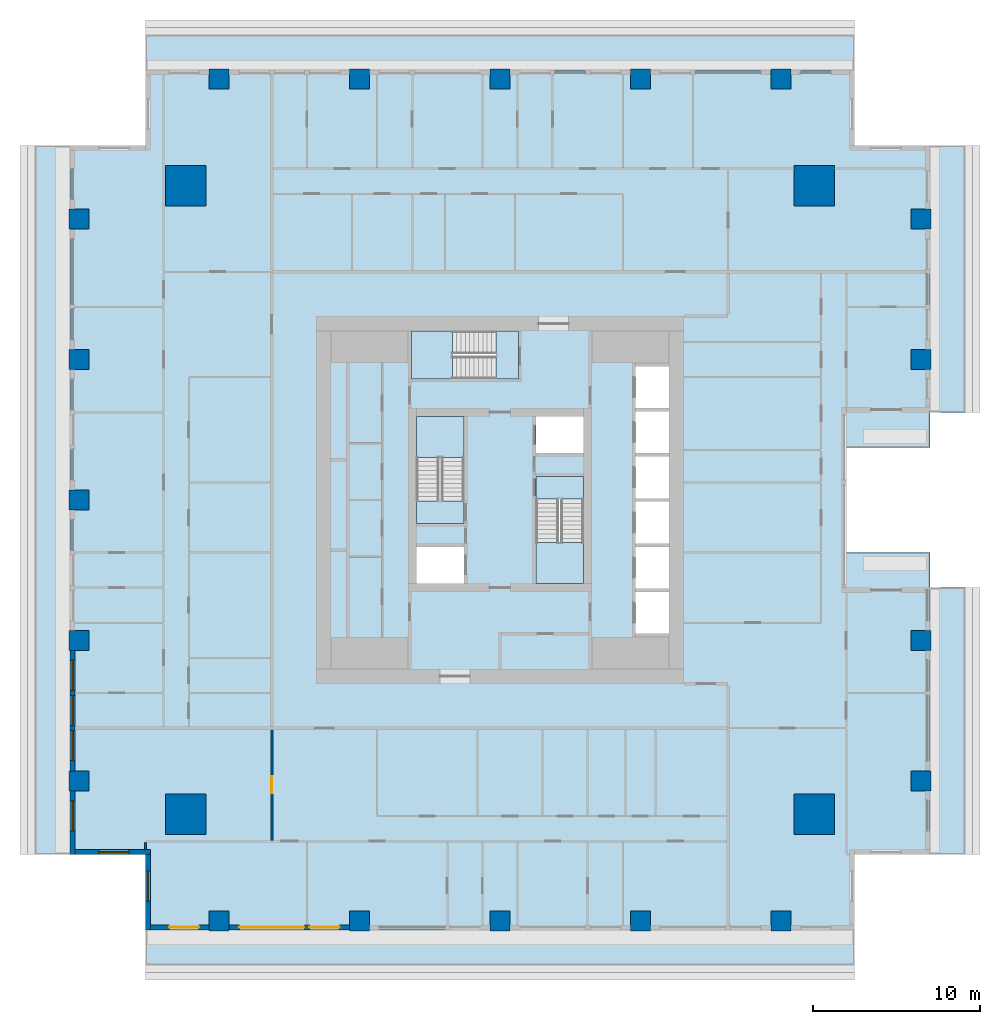
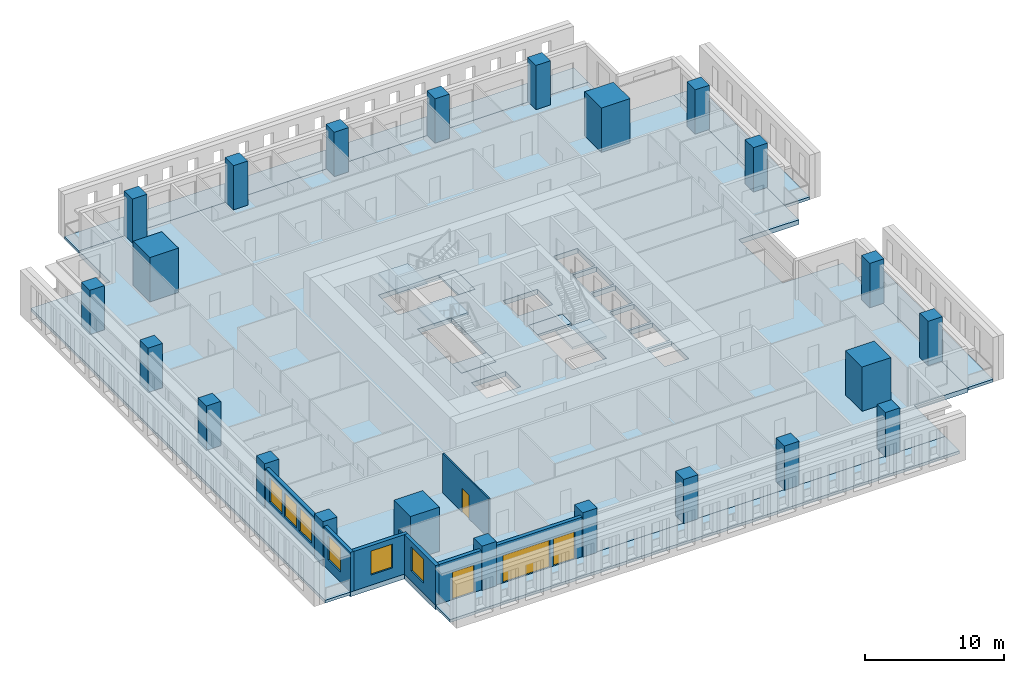
# One storey, part 1 of 15: 23 columns, 12 slabs, 8 walls, 6 windows, 4 doors, 10 openings, 3 elements without a shape of their own.
"""IFC4 building model written with IfcOpenShell, lengths in metres."""

from ifc_helpers import new_model, si_unit, direction, frame, frame_2d, origin, origin_2d, place, context, subcontext, project, spatial, polyline, rectangle, outline, extrude, material, layer, layer_set, material_profile, profile_set, type_object, element, fill, aggregate, save


model = new_model("IFC4")

# Units and contexts
model_context = context("Model", 3, precision=1e-05, world=origin(), true_north=direction((0.0, 1.0)))
body_context = subcontext(model_context, "Body", "Model", "MODEL_VIEW")
ifc_project = project(units=[si_unit("LENGTHUNIT", "METRE"), si_unit("AREAUNIT", "SQUARE_METRE"), si_unit("VOLUMEUNIT", "CUBIC_METRE"), si_unit("PLANEANGLEUNIT", "RADIAN"), si_unit("MASSUNIT", "GRAM", prefix="KILO")], contexts=[model_context])

# Site, building, storey
site_placement = place(None, origin())
site = spatial("IfcSite", under=ifc_project, at=site_placement, CompositionType="ELEMENT")
building_placement = place(site_placement, origin())
building = spatial("IfcBuilding", under=site, at=building_placement, Name="Khepri Terraces", CompositionType="ELEMENT")
storey_placement = place(building_placement, frame((0.0, 0.0, 196.199951171875)))
storey = spatial("IfcBuildingStorey", under=building, at=storey_placement, Name="L46", CompositionType="ELEMENT", Elevation=196.199951171875)

# Columns
ifc_material_1 = material(Name="Concrete C50/60", Category="concrete")
ifc_material_profile_1 = material_profile(ifc_material_1, rectangle(XDim=2.39990234375, YDim=2.39990234375, at=origin_2d()), Name="Concrete C50/60", Category="concrete")
ifc_profile_set_1 = profile_set([ifc_material_profile_1], Name="Concrete C50/60")
column_type_1 = type_object("IfcColumnType", Name="Mega column RC 2400x2400 C50/60", PredefinedType="COLUMN", material=ifc_profile_set_1)
for number, where, z_axis, x_axis, name in (
    (1, (18.800048828125, 18.800048828125, 0.0), (0.0, 0.0, 1.0), (1.0, 0.0, 0.0), "Mega column MEN L46"),
    (2, (18.800048828125, -18.800048828125, 0.0), (0.0, 0.0, 1.0), (1.0, 0.0, 0.0), "Mega column MES L46"),
    (3, (-18.800048828125, 18.800048828125, 0.0), (0.0, 0.0, 1.0), (1.0, 0.0, 0.0), "Mega column MWN L46"),
    (4, (-18.800048828125, -18.800048828125, 0.0), (0.0, 0.0, 1.0), (1.0, 0.0, 0.0), "Mega column MWS L46"),
):
    element("IfcColumn", number, at=place(storey_placement, frame(where, z_axis=z_axis, x_axis=x_axis)), inside=storey, type_object=column_type_1, Name=name, PredefinedType="COLUMN", context=body_context, shape_type="SweptSolid", body=[
        extrude(rectangle(XDim=2.39990234375, YDim=2.39990234375, at=origin_2d()), origin(), (0.0, 0.0, 1.0), 3.900146484375),
    ])
ifc_material_profile_2 = material_profile(ifc_material_1, rectangle(XDim=1.199951171875, YDim=1.199951171875, at=origin_2d()), Name="Concrete C50/60", Category="concrete")
ifc_profile_set_2 = profile_set([ifc_material_profile_2], Name="Concrete C50/60")
column_type_2 = type_object("IfcColumnType", Name="Tower column RC 1200x1200 C50/60", PredefinedType="COLUMN", material=ifc_profile_set_2)
for number, where, z_axis, x_axis, name in (
    (5, (25.199951171875, 8.39990234375, 0.0), (0.0, 0.0, 1.0), (1.0, 0.0, 0.0), "Perimeter column PE+084a L46"),
    (6, (25.199951171875, 16.800048828125, 0.0), (0.0, 0.0, 1.0), (1.0, 0.0, 0.0), "Perimeter column PE+168a L46"),
    (7, (25.199951171875, -8.39990234375, 0.0), (0.0, 0.0, 1.0), (1.0, 0.0, 0.0), "Perimeter column PE-084a L46"),
    (8, (25.199951171875, -16.800048828125, 0.0), (0.0, 0.0, 1.0), (1.0, 0.0, 0.0), "Perimeter column PE-168a L46"),
    (9, (0.0, 25.199951171875, 0.0), (0.0, 0.0, 1.0), (1.0, 0.0, 0.0), "Perimeter column PN+000b L46"),
    (10, (-8.39990234375, 25.199951171875, 0.0), (0.0, 0.0, 1.0), (1.0, 0.0, 0.0), "Perimeter column PN+084b L46"),
    (11, (-16.800048828125, 25.199951171875, 0.0), (0.0, 0.0, 1.0), (1.0, 0.0, 0.0), "Perimeter column PN+168a L46"),
    (12, (8.39990234375, 25.199951171875, 0.0), (0.0, 0.0, 1.0), (1.0, 0.0, 0.0), "Perimeter column PN-084b L46"),
    (13, (16.800048828125, 25.199951171875, 0.0), (0.0, 0.0, 1.0), (1.0, 0.0, 0.0), "Perimeter column PN-168a L46"),
    (14, (0.0, -25.199951171875, 0.0), (0.0, 0.0, 1.0), (1.0, 0.0, 0.0), "Perimeter column PS+000b L46"),
    (15, (8.39990234375, -25.199951171875, 0.0), (0.0, 0.0, 1.0), (1.0, 0.0, 0.0), "Perimeter column PS+084b L46"),
    (16, (16.800048828125, -25.199951171875, 0.0), (0.0, 0.0, 1.0), (1.0, 0.0, 0.0), "Perimeter column PS+168a L46"),
    (17, (-8.39990234375, -25.199951171875, 0.0), (0.0, 0.0, 1.0), (1.0, 0.0, 0.0), "Perimeter column PS-084b L46"),
    (18, (-16.800048828125, -25.199951171875, 0.0), (0.0, 0.0, 1.0), (1.0, 0.0, 0.0), "Perimeter column PS-168a L46"),
    (19, (-25.199951171875, 0.0, 0.0), (0.0, 0.0, 1.0), (1.0, 0.0, 0.0), "Perimeter column PW+000b L46"),
    (20, (-25.199951171875, -8.39990234375, 0.0), (0.0, 0.0, 1.0), (1.0, 0.0, 0.0), "Perimeter column PW+084b L46"),
    (21, (-25.199951171875, -16.800048828125, 0.0), (0.0, 0.0, 1.0), (1.0, 0.0, 0.0), "Perimeter column PW+168a L46"),
    (22, (-25.199951171875, 8.39990234375, 0.0), (0.0, 0.0, 1.0), (1.0, 0.0, 0.0), "Perimeter column PW-084b L46"),
    (23, (-25.199951171875, 16.800048828125, 0.0), (0.0, 0.0, 1.0), (1.0, 0.0, 0.0), "Perimeter column PW-168a L46"),
):
    element("IfcColumn", number, at=place(storey_placement, frame(where, z_axis=z_axis, x_axis=x_axis)), inside=storey, type_object=column_type_2, Name=name, PredefinedType="COLUMN", context=body_context, shape_type="SweptSolid", body=[
        extrude(rectangle(XDim=1.199951171875, YDim=1.199951171875, at=origin_2d()), origin(), (0.0, 0.0, 1.0), 3.900146484375),
    ])

# Slabs
ifc_material_2 = material(Name="Concrete C40/50", Category="concrete")
ifc_layer_1 = layer(ifc_material_2, 0.419921875, Name="Concrete C40/50", Category="concrete")
ifc_layer_set_1 = layer_set([ifc_layer_1], Name="Concrete C40/50")
slab_type_1 = type_object("IfcSlabType", Name="Flat plate 420", PredefinedType="FLOOR", material=ifc_layer_set_1)
slab_1_placement = place(storey_placement, frame((0.0, 0.0, -0.419921875)))
element("IfcSlab", 24, at=slab_1_placement, inside=storey, type_object=slab_type_1, Name="Floor slab F01 L46", PredefinedType="FLOOR", context=body_context, shape_type="SweptSolid", body=[
    extrude(outline(polyline([(21.219970703125, 25.719970703125), (21.219970703125, 21.219970703125), (25.719970703125, 21.219970703125), (25.719970703125, 5.25), (25.719970703125, 3.14990234375), (20.719970703125, 3.14990234375), (20.719970703125, -3.14990234375), (25.719970703125, -3.14990234375), (25.719970703125, -5.25), (25.719970703125, -21.219970703125), (21.219970703125, -21.219970703125), (21.219970703125, -25.719970703125), (-21.219970703125, -25.719970703125), (-21.219970703125, -21.219970703125), (-25.719970703125, -21.219970703125), (-25.719970703125, 21.219970703125), (-21.219970703125, 21.219970703125), (-21.219970703125, 25.719970703125), (21.219970703125, 25.719970703125)]), holes=[polyline([(2.14990234375, 2.800048828125), (5.0, 2.800048828125), (5.0, 5.0), (2.14990234375, 5.0), (2.14990234375, 2.800048828125)]), polyline([(-5.0, -2.800048828125), (-5.0, -5.0), (-2.14990234375, -5.0), (-2.14990234375, -2.800048828125), (-5.0, -2.800048828125)]), polyline([(10.10009765625, -5.5), (8.10009765625, -5.5), (8.10009765625, -8.0), (10.10009765625, -8.0), (10.10009765625, -5.5)]), polyline([(10.10009765625, -5.300048828125), (10.10009765625, -2.800048828125), (8.10009765625, -2.800048828125), (8.10009765625, -5.300048828125), (10.10009765625, -5.300048828125)]), polyline([(8.10009765625, -2.60009765625), (10.10009765625, -2.60009765625), (10.10009765625, -0.10009765625), (8.10009765625, -0.10009765625), (8.10009765625, -2.60009765625)]), polyline([(8.10009765625, 2.60009765625), (8.10009765625, 0.10009765625), (10.10009765625, 0.10009765625), (10.10009765625, 2.60009765625), (8.10009765625, 2.60009765625)]), polyline([(10.10009765625, 5.300048828125), (8.10009765625, 5.300048828125), (8.10009765625, 2.800048828125), (10.10009765625, 2.800048828125), (10.10009765625, 5.300048828125)]), polyline([(10.10009765625, 5.5), (10.10009765625, 8.0), (8.10009765625, 8.0), (8.10009765625, 5.5), (10.10009765625, 5.5)]), polyline([(-5.0, -1.39990234375), (-2.14990234375, -1.39990234375), (-2.14990234375, 5.0), (-5.0, 5.0), (-5.0, -1.39990234375)]), polyline([(5.0, -5.0), (5.0, 1.39990234375), (2.14990234375, 1.39990234375), (2.14990234375, -5.0), (5.0, -5.0)]), polyline([(-5.300048828125, 10.10009765625), (-5.300048828125, 7.25), (1.10009765625, 7.25), (1.10009765625, 10.10009765625), (-5.300048828125, 10.10009765625)])]), origin(), (0.0, 0.0, 1.0), 0.419921875),
])
ifc_material_3 = material(Name="Precast concrete C50/60 warm stone", Category="masonry")
ifc_layer_2 = layer(ifc_material_3, 0.25, Name="Precast concrete C50/60 warm stone", Category="masonry")
ifc_layer_set_2 = layer_set([ifc_layer_2], Name="Precast concrete C50/60 warm stone")
slab_type_2 = type_object("IfcSlabType", Name="SLB-BALCONY-250", PredefinedType="FLOOR", material=ifc_layer_set_2)
slab_2_placement = place(storey_placement, frame((0.0, 0.0, -0.25)))
element("IfcSlab", 25, at=slab_2_placement, inside=storey, type_object=slab_type_2, Name="Balcony slab L46 S", PredefinedType="FLOOR", context=body_context, shape_type="SweptSolid", body=[
    extrude(outline(polyline([(-17.39990234375, -25.719970703125), (-21.219970703125, -25.719970703125), (-21.219970703125, -27.820068359375), (21.219970703125, -27.820068359375), (21.219970703125, -25.719970703125), (17.39990234375, -25.719970703125), (17.39990234375, -25.800048828125), (16.199951171875, -25.800048828125), (16.199951171875, -25.719970703125), (9.0, -25.719970703125), (9.0, -25.800048828125), (7.800048828125, -25.800048828125), (7.800048828125, -25.719970703125), (0.60009765625, -25.719970703125), (0.60009765625, -25.800048828125), (-0.60009765625, -25.800048828125), (-0.60009765625, -25.719970703125), (-7.800048828125, -25.719970703125), (-7.800048828125, -25.800048828125), (-9.0, -25.800048828125), (-9.0, -25.719970703125), (-16.199951171875, -25.719970703125), (-16.199951171875, -25.800048828125), (-17.39990234375, -25.800048828125), (-17.39990234375, -25.719970703125)])), origin(), (0.0, 0.0, 1.0), 0.25),
])
slab_3_placement = place(storey_placement, frame((0.0, 0.0, -0.25)))
element("IfcSlab", 26, at=slab_3_placement, inside=storey, type_object=slab_type_2, Name="Balcony slab L46 E", PredefinedType="FLOOR", context=body_context, shape_type="SweptSolid", body=[
    extrude(outline(polyline([(25.719970703125, -17.39990234375), (25.719970703125, -21.219970703125), (27.820068359375, -21.219970703125), (27.820068359375, -5.25), (25.719970703125, -5.25), (25.719970703125, -7.800048828125), (25.800048828125, -7.800048828125), (25.800048828125, -9.0), (25.719970703125, -9.0), (25.719970703125, -16.199951171875), (25.800048828125, -16.199951171875), (25.800048828125, -17.39990234375), (25.719970703125, -17.39990234375)])), origin(), (0.0, 0.0, 1.0), 0.25),
])
slab_4_placement = place(storey_placement, frame((0.0, 0.0, -0.25)))
element("IfcSlab", 27, at=slab_4_placement, inside=storey, type_object=slab_type_2, Name="Balcony slab L46 E", PredefinedType="FLOOR", context=body_context, shape_type="SweptSolid", body=[
    extrude(outline(polyline([(25.719970703125, 7.800048828125), (25.719970703125, 5.25), (27.820068359375, 5.25), (27.820068359375, 21.219970703125), (25.719970703125, 21.219970703125), (25.719970703125, 17.39990234375), (25.800048828125, 17.39990234375), (25.800048828125, 16.199951171875), (25.719970703125, 16.199951171875), (25.719970703125, 9.0), (25.800048828125, 9.0), (25.800048828125, 7.800048828125), (25.719970703125, 7.800048828125)])), origin(), (0.0, 0.0, 1.0), 0.25),
])
slab_5_placement = place(storey_placement, frame((0.0, 0.0, -0.25)))
element("IfcSlab", 28, at=slab_5_placement, inside=storey, type_object=slab_type_2, Name="Balcony slab L46 N", PredefinedType="FLOOR", context=body_context, shape_type="SweptSolid", body=[
    extrude(outline(polyline([(17.39990234375, 25.719970703125), (21.219970703125, 25.719970703125), (21.219970703125, 27.820068359375), (-21.219970703125, 27.820068359375), (-21.219970703125, 25.719970703125), (-17.39990234375, 25.719970703125), (-17.39990234375, 25.800048828125), (-16.199951171875, 25.800048828125), (-16.199951171875, 25.719970703125), (-9.0, 25.719970703125), (-9.0, 25.800048828125), (-7.800048828125, 25.800048828125), (-7.800048828125, 25.719970703125), (-0.60009765625, 25.719970703125), (-0.60009765625, 25.800048828125), (0.60009765625, 25.800048828125), (0.60009765625, 25.719970703125), (7.800048828125, 25.719970703125), (7.800048828125, 25.800048828125), (9.0, 25.800048828125), (9.0, 25.719970703125), (16.199951171875, 25.719970703125), (16.199951171875, 25.800048828125), (17.39990234375, 25.800048828125), (17.39990234375, 25.719970703125)])), origin(), (0.0, 0.0, 1.0), 0.25),
])
slab_6_placement = place(storey_placement, frame((0.0, 0.0, -0.25)))
element("IfcSlab", 29, at=slab_6_placement, inside=storey, type_object=slab_type_2, Name="Balcony slab L46 W", PredefinedType="FLOOR", context=body_context, shape_type="SweptSolid", body=[
    extrude(outline(polyline([(-25.719970703125, 17.39990234375), (-25.719970703125, 21.219970703125), (-27.820068359375, 21.219970703125), (-27.820068359375, -21.219970703125), (-25.719970703125, -21.219970703125), (-25.719970703125, -17.39990234375), (-25.800048828125, -17.39990234375), (-25.800048828125, -16.199951171875), (-25.719970703125, -16.199951171875), (-25.719970703125, -9.0), (-25.800048828125, -9.0), (-25.800048828125, -7.800048828125), (-25.719970703125, -7.800048828125), (-25.719970703125, -0.60009765625), (-25.800048828125, -0.60009765625), (-25.800048828125, 0.60009765625), (-25.719970703125, 0.60009765625), (-25.719970703125, 7.800048828125), (-25.800048828125, 7.800048828125), (-25.800048828125, 9.0), (-25.719970703125, 9.0), (-25.719970703125, 16.199951171875), (-25.800048828125, 16.199951171875), (-25.800048828125, 17.39990234375), (-25.719970703125, 17.39990234375)])), origin(), (0.0, 0.0, 1.0), 0.25),
])

# Stair, slabs
stair_type = type_object("IfcStairType", Name="STAIR-RC-22R", PredefinedType="HALF_TURN_STAIR", material=ifc_material_2)
stair_1_placement = place(storey_placement, origin())
stair_1 = element("IfcStair", 30, at=stair_1_placement, inside=storey, type_object=stair_type, Name="L46 Exit Stair ST-1", PredefinedType="HALF_TURN_STAIR")
ifc_layer_3 = layer(ifc_material_2, 0.199951171875, Name="Concrete C40/50", Category="concrete")
ifc_layer_set_3 = layer_set([ifc_layer_3], Name="Concrete C40/50")
slab_type_3 = type_object("IfcSlabType", Name="SLB-CORE-LANDING", PredefinedType="LANDING", material=ifc_layer_set_3)
slab_7_placement = place(storey_placement, frame((0.0, 0.0, -0.199951171875)))
slab_7 = element("IfcSlab", 31, at=slab_7_placement, type_object=slab_type_3, Name="ST-1 landing 1", PredefinedType="LANDING", context=body_context, shape_type="SweptSolid", body=[
    extrude(outline(polyline([(-2.14990234375, -1.39990234375), (-2.14990234375, -0.050048828125), (-5.0, -0.050048828125), (-5.0, -1.39990234375), (-2.14990234375, -1.39990234375)])), origin(), (0.0, 0.0, 1.0), 0.199951171875),
])
slab_8_placement = place(storey_placement, frame((0.0, 0.0, 1.75)))
slab_8 = element("IfcSlab", 32, at=slab_8_placement, type_object=slab_type_3, Name="ST-1 landing 2", PredefinedType="LANDING", context=body_context, shape_type="SweptSolid", body=[
    extrude(outline(polyline([(-2.14990234375, 2.550048828125), (-2.14990234375, 5.0), (-5.0, 5.0), (-5.0, 2.550048828125), (-2.14990234375, 2.550048828125)])), origin(), (0.0, 0.0, 1.0), 0.199951171875),
])
aggregate(stair_1, [slab_7, slab_8])

stair_2_placement = place(storey_placement, origin())
stair_2 = element("IfcStair", 33, at=stair_2_placement, inside=storey, type_object=stair_type, Name="L46 Exit Stair ST-2", PredefinedType="HALF_TURN_STAIR")
slab_9_placement = place(storey_placement, frame((0.0, 0.0, -0.199951171875)))
slab_9 = element("IfcSlab", 34, at=slab_9_placement, type_object=slab_type_3, Name="ST-2 landing 1", PredefinedType="LANDING", context=body_context, shape_type="SweptSolid", body=[
    extrude(outline(polyline([(2.14990234375, 1.39990234375), (2.14990234375, 0.050048828125), (5.0, 0.050048828125), (5.0, 1.39990234375), (2.14990234375, 1.39990234375)])), origin(), (0.0, 0.0, 1.0), 0.199951171875),
])
slab_10_placement = place(storey_placement, frame((0.0, 0.0, 1.75)))
slab_10 = element("IfcSlab", 35, at=slab_10_placement, type_object=slab_type_3, Name="ST-2 landing 2", PredefinedType="LANDING", context=body_context, shape_type="SweptSolid", body=[
    extrude(outline(polyline([(2.14990234375, -2.550048828125), (2.14990234375, -5.0), (5.0, -5.0), (5.0, -2.550048828125), (2.14990234375, -2.550048828125)])), origin(), (0.0, 0.0, 1.0), 0.199951171875),
])
aggregate(stair_2, [slab_9, slab_10])

stair_3_placement = place(storey_placement, origin())
stair_3 = element("IfcStair", 36, at=stair_3_placement, inside=storey, type_object=stair_type, Name="L46 Exit Stair ST-3", PredefinedType="HALF_TURN_STAIR")
slab_11_placement = place(storey_placement, frame((0.0, 0.0, -0.199951171875)))
slab_11 = element("IfcSlab", 37, at=slab_11_placement, type_object=slab_type_3, Name="ST-3 landing 1", PredefinedType="LANDING", context=body_context, shape_type="SweptSolid", body=[
    extrude(outline(polyline([(1.10009765625, 10.10009765625), (-0.25, 10.10009765625), (-0.25, 7.25), (1.10009765625, 7.25), (1.10009765625, 10.10009765625)])), origin(), (0.0, 0.0, 1.0), 0.199951171875),
])
slab_12_placement = place(storey_placement, frame((0.0, 0.0, 1.75)))
slab_12 = element("IfcSlab", 38, at=slab_12_placement, type_object=slab_type_3, Name="ST-3 landing 2", PredefinedType="LANDING", context=body_context, shape_type="SweptSolid", body=[
    extrude(outline(polyline([(-2.85009765625, 10.10009765625), (-5.300048828125, 10.10009765625), (-5.300048828125, 7.25), (-2.85009765625, 7.25), (-2.85009765625, 10.10009765625)])), origin(), (0.0, 0.0, 1.0), 0.199951171875),
])
aggregate(stair_3, [slab_11, slab_12])

# Wall, openings, windows
ifc_layer_4 = layer(ifc_material_3, 0.300048828125, Name="Precast concrete C50/60 warm stone", Category="masonry")
ifc_layer_set_4 = layer_set([ifc_layer_4], Name="Precast concrete C50/60 warm stone")
wall_type_1 = type_object("IfcWallType", Name="WL-EXT-PRECAST-300", PredefinedType="STANDARD", material=ifc_layer_set_4)
wall_1_placement = place(storey_placement, frame((-25.570068359375, -9.0, 0.0), z_axis=(0.0, 0.0, 1.0), x_axis=(0.0, -1.0, 0.0)))
wall_1 = element("IfcWall", 39, at=wall_1_placement, inside=storey, type_object=wall_type_1, Name="External wall L46 W", PredefinedType="STANDARD", context=body_context, shape_type="SweptSolid", body=[
    extrude(rectangle(XDim=7.199951171875, YDim=0.300048828125, at=frame_2d((3.60009765625, 0.0))), origin(), (0.0, 0.0, 1.0), 3.47998046875),
])
opening_1_placement = place(wall_1_placement, frame((0.60009765625, 0.0, 0.89990234375)))
opening_1 = element("IfcOpeningElement", 40, at=opening_1_placement, cuts=wall_1, Name="Opening W1", PredefinedType="OPENING", context=body_context, shape_type="SweptSolid", body=[
    extrude(rectangle(XDim=1.800048828125, YDim=2.10009765625, at=frame_2d((0.89990234375, 1.050048828125))), frame((0.0, 0.16015625, 0.0), z_axis=(0.0, -1.0, 0.0), x_axis=(1.0, 0.0, 0.0)), (0.0, 0.0, 1.0), 0.320068359375),
])
opening_2_placement = place(wall_1_placement, frame((2.699951171875, 0.0, 0.89990234375)))
opening_2 = element("IfcOpeningElement", 41, at=opening_2_placement, cuts=wall_1, Name="Opening W1", PredefinedType="OPENING", context=body_context, shape_type="SweptSolid", body=[
    extrude(rectangle(XDim=1.800048828125, YDim=2.10009765625, at=frame_2d((0.89990234375, 1.050048828125))), frame((0.0, 0.16015625, 0.0), z_axis=(0.0, -1.0, 0.0), x_axis=(1.0, 0.0, 0.0)), (0.0, 0.0, 1.0), 0.320068359375),
])
opening_3_placement = place(wall_1_placement, frame((4.800048828125, 0.0, 0.89990234375)))
opening_3 = element("IfcOpeningElement", 42, at=opening_3_placement, cuts=wall_1, Name="Opening W1", PredefinedType="OPENING", context=body_context, shape_type="SweptSolid", body=[
    extrude(rectangle(XDim=1.800048828125, YDim=2.10009765625, at=frame_2d((0.89990234375, 1.050048828125))), frame((0.0, 0.16015625, 0.0), z_axis=(0.0, -1.0, 0.0), x_axis=(1.0, 0.0, 0.0)), (0.0, 0.0, 1.0), 0.320068359375),
])
ifc_material_4 = material(Name="Clear glass", Category="glass")
window_type = type_object("IfcWindowType", Name="WIN-RES-1800x2100", PartitioningType="SINGLE_PANEL", PredefinedType="WINDOW", material=ifc_material_4)
window_1_placement = place(opening_1_placement, origin())
window_1 = element("IfcWindow", 43, at=window_1_placement, inside=storey, type_object=window_type, Name="Window L46 W", OverallHeight=2.10009765625, OverallWidth=1.800048828125, PartitioningType="SINGLE_PANEL", PredefinedType="WINDOW", context=body_context, shape_type="SweptSolid", body=[
    extrude(rectangle(XDim=1.800048828125, YDim=2.10009765625, at=frame_2d((0.89990234375, 1.050048828125))), frame((0.0, 0.030029296875, 0.0), z_axis=(0.0, -1.0, 0.0), x_axis=(1.0, 0.0, 0.0)), (0.0, 0.0, 1.0), 0.06005859375),
])
fill(opening_1, window_1)
window_2_placement = place(opening_2_placement, origin())
window_2 = element("IfcWindow", 44, at=window_2_placement, inside=storey, type_object=window_type, Name="Window L46 W", OverallHeight=2.10009765625, OverallWidth=1.800048828125, PartitioningType="SINGLE_PANEL", PredefinedType="WINDOW", context=body_context, shape_type="SweptSolid", body=[
    extrude(rectangle(XDim=1.800048828125, YDim=2.10009765625, at=frame_2d((0.89990234375, 1.050048828125))), frame((0.0, 0.030029296875, 0.0), z_axis=(0.0, -1.0, 0.0), x_axis=(1.0, 0.0, 0.0)), (0.0, 0.0, 1.0), 0.06005859375),
])
fill(opening_2, window_2)
window_3_placement = place(opening_3_placement, origin())
window_3 = element("IfcWindow", 45, at=window_3_placement, inside=storey, type_object=window_type, Name="Window L46 W", OverallHeight=2.10009765625, OverallWidth=1.800048828125, PartitioningType="SINGLE_PANEL", PredefinedType="WINDOW", context=body_context, shape_type="SweptSolid", body=[
    extrude(rectangle(XDim=1.800048828125, YDim=2.10009765625, at=frame_2d((0.89990234375, 1.050048828125))), frame((0.0, 0.030029296875, 0.0), z_axis=(0.0, -1.0, 0.0), x_axis=(1.0, 0.0, 0.0)), (0.0, 0.0, 1.0), 0.06005859375),
])
fill(opening_3, window_3)

# Wall, opening, window
wall_2_placement = place(storey_placement, frame((-25.570068359375, -17.39990234375, 0.0), z_axis=(0.0, 0.0, 1.0), x_axis=(0.0, -1.0, 0.0)))
wall_2 = element("IfcWall", 46, at=wall_2_placement, inside=storey, type_object=wall_type_1, Name="External wall L46 W", PredefinedType="STANDARD", context=body_context, shape_type="SweptSolid", body=[
    extrude(rectangle(XDim=3.820068359375, YDim=0.300048828125, at=frame_2d((1.91015625, 0.0))), origin(), (0.0, 0.0, 1.0), 3.47998046875),
])
opening_4_placement = place(wall_2_placement, frame((0.60009765625, 0.0, 0.89990234375)))
opening_4 = element("IfcOpeningElement", 47, at=opening_4_placement, cuts=wall_2, Name="Opening W1", PredefinedType="OPENING", context=body_context, shape_type="SweptSolid", body=[
    extrude(rectangle(XDim=1.800048828125, YDim=2.10009765625, at=frame_2d((0.89990234375, 1.050048828125))), frame((0.0, 0.16015625, 0.0), z_axis=(0.0, -1.0, 0.0), x_axis=(1.0, 0.0, 0.0)), (0.0, 0.0, 1.0), 0.320068359375),
])
window_4_placement = place(opening_4_placement, origin())
window_4 = element("IfcWindow", 48, at=window_4_placement, inside=storey, type_object=window_type, Name="Window L46 W", OverallHeight=2.10009765625, OverallWidth=1.800048828125, PartitioningType="SINGLE_PANEL", PredefinedType="WINDOW", context=body_context, shape_type="SweptSolid", body=[
    extrude(rectangle(XDim=1.800048828125, YDim=2.10009765625, at=frame_2d((0.89990234375, 1.050048828125))), frame((0.0, 0.030029296875, 0.0), z_axis=(0.0, -1.0, 0.0), x_axis=(1.0, 0.0, 0.0)), (0.0, 0.0, 1.0), 0.06005859375),
])
fill(opening_4, window_4)

wall_3_placement = place(storey_placement, frame((-25.419921875, -21.070068359375, 0.0), z_axis=(0.0, 0.0, 1.0), x_axis=(1.0, 0.0, 0.0)))
wall_3 = element("IfcWall", 49, at=wall_3_placement, inside=storey, type_object=wall_type_1, Name="External wall L46 S", PredefinedType="STANDARD", context=body_context, shape_type="SweptSolid", body=[
    extrude(rectangle(XDim=4.5, YDim=0.300048828125, at=frame_2d((2.25, 0.0))), origin(), (0.0, 0.0, 1.0), 3.47998046875),
])
opening_5_placement = place(wall_3_placement, frame((1.419921875, 0.0, 0.89990234375)))
opening_5 = element("IfcOpeningElement", 50, at=opening_5_placement, cuts=wall_3, Name="Opening W1", PredefinedType="OPENING", context=body_context, shape_type="SweptSolid", body=[
    extrude(rectangle(XDim=1.800048828125, YDim=2.10009765625, at=frame_2d((0.89990234375, 1.050048828125))), frame((0.0, 0.16015625, 0.0), z_axis=(0.0, -1.0, 0.0), x_axis=(1.0, 0.0, 0.0)), (0.0, 0.0, 1.0), 0.320068359375),
])
window_5_placement = place(opening_5_placement, origin())
window_5 = element("IfcWindow", 51, at=window_5_placement, inside=storey, type_object=window_type, Name="Window L46 S", OverallHeight=2.10009765625, OverallWidth=1.800048828125, PartitioningType="SINGLE_PANEL", PredefinedType="WINDOW", context=body_context, shape_type="SweptSolid", body=[
    extrude(rectangle(XDim=1.800048828125, YDim=2.10009765625, at=frame_2d((0.89990234375, 1.050048828125))), frame((0.0, 0.030029296875, 0.0), z_axis=(0.0, -1.0, 0.0), x_axis=(1.0, 0.0, 0.0)), (0.0, 0.0, 1.0), 0.06005859375),
])
fill(opening_5, window_5)

wall_4_placement = place(storey_placement, frame((-21.070068359375, -21.219970703125, 0.0), z_axis=(0.0, 0.0, 1.0), x_axis=(0.0, -1.0, 0.0)))
wall_4 = element("IfcWall", 52, at=wall_4_placement, inside=storey, type_object=wall_type_1, Name="External wall L46 W", PredefinedType="STANDARD", context=body_context, shape_type="SweptSolid", body=[
    extrude(rectangle(XDim=4.5, YDim=0.300048828125, at=frame_2d((2.25, 0.0))), origin(), (0.0, 0.0, 1.0), 3.47998046875),
])
opening_6_placement = place(wall_4_placement, frame((0.97998046875, 0.0, 0.89990234375)))
opening_6 = element("IfcOpeningElement", 53, at=opening_6_placement, cuts=wall_4, Name="Opening W1", PredefinedType="OPENING", context=body_context, shape_type="SweptSolid", body=[
    extrude(rectangle(XDim=1.800048828125, YDim=2.10009765625, at=frame_2d((0.89990234375, 1.050048828125))), frame((0.0, 0.16015625, 0.0), z_axis=(0.0, -1.0, 0.0), x_axis=(1.0, 0.0, 0.0)), (0.0, 0.0, 1.0), 0.320068359375),
])
window_6_placement = place(opening_6_placement, origin())
window_6 = element("IfcWindow", 54, at=window_6_placement, inside=storey, type_object=window_type, Name="Window L46 W", OverallHeight=2.10009765625, OverallWidth=1.800048828125, PartitioningType="SINGLE_PANEL", PredefinedType="WINDOW", context=body_context, shape_type="SweptSolid", body=[
    extrude(rectangle(XDim=1.800048828125, YDim=2.10009765625, at=frame_2d((0.89990234375, 1.050048828125))), frame((0.0, 0.030029296875, 0.0), z_axis=(0.0, -1.0, 0.0), x_axis=(1.0, 0.0, 0.0)), (0.0, 0.0, 1.0), 0.06005859375),
])
fill(opening_6, window_6)

# Wall, opening, door
wall_5_placement = place(storey_placement, frame((-20.919921875, -25.570068359375, 0.0), z_axis=(0.0, 0.0, 1.0), x_axis=(1.0, 0.0, 0.0)))
wall_5 = element("IfcWall", 55, at=wall_5_placement, inside=storey, type_object=wall_type_1, Name="External wall L46 S", PredefinedType="STANDARD", context=body_context, shape_type="SweptSolid", body=[
    extrude(rectangle(XDim=3.52001953125, YDim=0.300048828125, at=frame_2d((1.760009765625, 0.0))), origin(), (0.0, 0.0, 1.0), 3.47998046875),
])
opening_7_placement = place(wall_5_placement, frame((1.1201171875, 0.0, 0.0)))
opening_7 = element("IfcOpeningElement", 56, at=opening_7_placement, cuts=wall_5, Name="Opening ED-L46-17", PredefinedType="OPENING", context=body_context, shape_type="SweptSolid", body=[
    extrude(rectangle(XDim=1.800048828125, YDim=2.39990234375, at=frame_2d((0.89990234375, 1.199951171875))), frame((0.0, 0.16015625, 0.0), z_axis=(0.0, -1.0, 0.0), x_axis=(1.0, 0.0, 0.0)), (0.0, 0.0, 1.0), 0.320068359375),
])
ifc_material_5 = material(Name="Anodised aluminium bronze glazed door", Category="aluminium")
door_type_1 = type_object("IfcDoorType", Name="DR-BAL-SLIDE-1800x2400", OperationType="NOTDEFINED", PredefinedType="DOOR", material=ifc_material_5)
door_1_placement = place(opening_7_placement, origin())
door_1 = element("IfcDoor", 57, at=door_1_placement, inside=storey, type_object=door_type_1, Name="Balcony door L46 S", OperationType="SLIDING_TO_RIGHT", OverallHeight=2.39990234375, OverallWidth=1.800048828125, PredefinedType="DOOR", context=body_context, shape_type="SweptSolid", body=[
    extrude(rectangle(XDim=1.800048828125, YDim=2.39990234375, at=frame_2d((0.89990234375, 1.199951171875))), frame((0.0, 0.02490234375, 0.0), z_axis=(0.0, -1.0, 0.0), x_axis=(1.0, 0.0, 0.0)), (0.0, 0.0, 1.0), 0.050048828125),
])
fill(opening_7, door_1)

# Wall, openings, doors
wall_6_placement = place(storey_placement, frame((-16.199951171875, -25.570068359375, 0.0), z_axis=(0.0, 0.0, 1.0), x_axis=(1.0, 0.0, 0.0)))
wall_6 = element("IfcWall", 58, at=wall_6_placement, inside=storey, type_object=wall_type_1, Name="External wall L46 S", PredefinedType="STANDARD", context=body_context, shape_type="SweptSolid", body=[
    extrude(rectangle(XDim=7.199951171875, YDim=0.300048828125, at=frame_2d((3.60009765625, 0.0))), origin(), (0.0, 0.0, 1.0), 3.47998046875),
])
opening_8_placement = place(wall_6_placement, frame((0.60009765625, 0.0, 0.0)))
opening_8 = element("IfcOpeningElement", 59, at=opening_8_placement, cuts=wall_6, Name="Opening ED-L46-18", PredefinedType="OPENING", context=body_context, shape_type="SweptSolid", body=[
    extrude(rectangle(XDim=3.89990234375, YDim=2.39990234375, at=frame_2d((1.949951171875, 1.199951171875))), frame((0.0, 0.16015625, 0.0), z_axis=(0.0, -1.0, 0.0), x_axis=(1.0, 0.0, 0.0)), (0.0, 0.0, 1.0), 0.320068359375),
])
opening_9_placement = place(wall_6_placement, frame((4.800048828125, 0.0, 0.0)))
opening_9 = element("IfcOpeningElement", 60, at=opening_9_placement, cuts=wall_6, Name="Opening ED-L46-19", PredefinedType="OPENING", context=body_context, shape_type="SweptSolid", body=[
    extrude(rectangle(XDim=1.800048828125, YDim=2.39990234375, at=frame_2d((0.89990234375, 1.199951171875))), frame((0.0, 0.16015625, 0.0), z_axis=(0.0, -1.0, 0.0), x_axis=(1.0, 0.0, 0.0)), (0.0, 0.0, 1.0), 0.320068359375),
])
door_2_placement = place(opening_9_placement, origin())
door_2 = element("IfcDoor", 61, at=door_2_placement, inside=storey, type_object=door_type_1, Name="Balcony door L46 S", OperationType="SLIDING_TO_RIGHT", OverallHeight=2.39990234375, OverallWidth=1.800048828125, PredefinedType="DOOR", context=body_context, shape_type="SweptSolid", body=[
    extrude(rectangle(XDim=1.800048828125, YDim=2.39990234375, at=frame_2d((0.89990234375, 1.199951171875))), frame((0.0, 0.02490234375, 0.0), z_axis=(0.0, -1.0, 0.0), x_axis=(1.0, 0.0, 0.0)), (0.0, 0.0, 1.0), 0.050048828125),
])
fill(opening_9, door_2)
door_type_2 = type_object("IfcDoorType", Name="DR-BAL-SLIDE-3900x2400", OperationType="NOTDEFINED", PredefinedType="DOOR", material=ifc_material_5)
door_3_placement = place(opening_8_placement, origin())
door_3 = element("IfcDoor", 62, at=door_3_placement, inside=storey, type_object=door_type_2, Name="Balcony door L46 S", OperationType="SLIDING_TO_LEFT", OverallHeight=2.39990234375, OverallWidth=3.89990234375, PredefinedType="DOOR", context=body_context, shape_type="SweptSolid", body=[
    extrude(rectangle(XDim=3.89990234375, YDim=2.39990234375, at=frame_2d((1.949951171875, 1.199951171875))), frame((0.0, 0.02490234375, 0.0), z_axis=(0.0, -1.0, 0.0), x_axis=(1.0, 0.0, 0.0)), (0.0, 0.0, 1.0), 0.050048828125),
])
fill(opening_8, door_3)

# Wall
ifc_material_6 = material(Name="Gypsum plasterboard partition")
ifc_layer_5 = layer(ifc_material_6, 0.1201171875, Name="Gypsum plasterboard partition")
ifc_layer_set_5 = layer_set([ifc_layer_5], Name="Gypsum plasterboard partition")
wall_type_2 = type_object("IfcWallType", Name="WL-PART-120", PredefinedType="PARTITIONING", material=ifc_layer_set_5)
wall_7_placement = place(storey_placement, frame((-21.218994140625, -20.9208984375, 0.0), z_axis=(0.0, 0.0, 1.0), x_axis=(0.0, 1.0, 0.0)))
element("IfcWall", 63, at=wall_7_placement, inside=storey, type_object=wall_type_2, Name="Partition P-008 L46", PredefinedType="PARTITIONING", context=body_context, shape_type="SweptSolid", body=[
    extrude(rectangle(XDim=0.44091796875, YDim=0.1201171875, at=frame_2d((0.220458984375, 0.0))), origin(), (0.0, 0.0, 1.0), 3.47998046875),
])

# Wall, opening, door
wall_8_placement = place(storey_placement, frame((-13.64990234375, -20.360107421875, 0.0), z_axis=(0.0, 0.0, 1.0), x_axis=(0.0, 1.0, 0.0)))
wall_8 = element("IfcWall", 64, at=wall_8_placement, inside=storey, type_object=wall_type_2, Name="Partition P-012 L46", PredefinedType="PARTITIONING", context=body_context, shape_type="SweptSolid", body=[
    extrude(rectangle(XDim=6.610107421875, YDim=0.1201171875, at=frame_2d((3.30517578125, 0.0))), origin(), (0.0, 0.0, 1.0), 3.47998046875),
])
opening_10_placement = place(wall_8_placement, frame((2.824951171875, 0.0, 0.0)))
opening_10 = element("IfcOpeningElement", 65, at=opening_10_placement, cuts=wall_8, Name="Opening D2", PredefinedType="OPENING", context=body_context, shape_type="SweptSolid", body=[
    extrude(rectangle(XDim=1.0, YDim=2.10009765625, at=frame_2d((0.5, 1.050048828125))), frame((0.0, 0.070068359375, 0.0), z_axis=(0.0, -1.0, 0.0), x_axis=(1.0, 0.0, 0.0)), (0.0, 0.0, 1.0), 0.14013671875),
])
ifc_material_7 = material(Name="Timber door leaf, living room door", Category="wood")
door_type_3 = type_object("IfcDoorType", Name="DR-INT-1000", OperationType="NOTDEFINED", PredefinedType="DOOR", material=ifc_material_7)
door_4_placement = place(opening_10_placement, origin())
door_4 = element("IfcDoor", 66, at=door_4_placement, inside=storey, type_object=door_type_3, Name="Door Family Room", OperationType="SINGLE_SWING_RIGHT", OverallHeight=2.10009765625, OverallWidth=1.0, PredefinedType="DOOR", context=body_context, shape_type="SweptSolid", body=[
    extrude(rectangle(XDim=1.0, YDim=2.10009765625, at=frame_2d((0.5, 1.050048828125))), frame((0.0, 0.02490234375, 0.0), z_axis=(0.0, -1.0, 0.0), x_axis=(1.0, 0.0, 0.0)), (0.0, 0.0, 1.0), 0.050048828125),
])
fill(opening_10, door_4)

save(model, "model.ifc")
